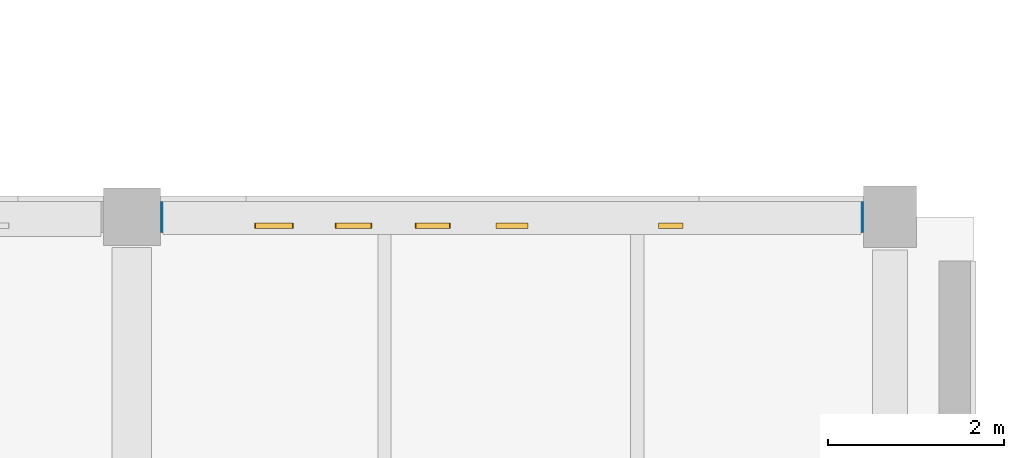
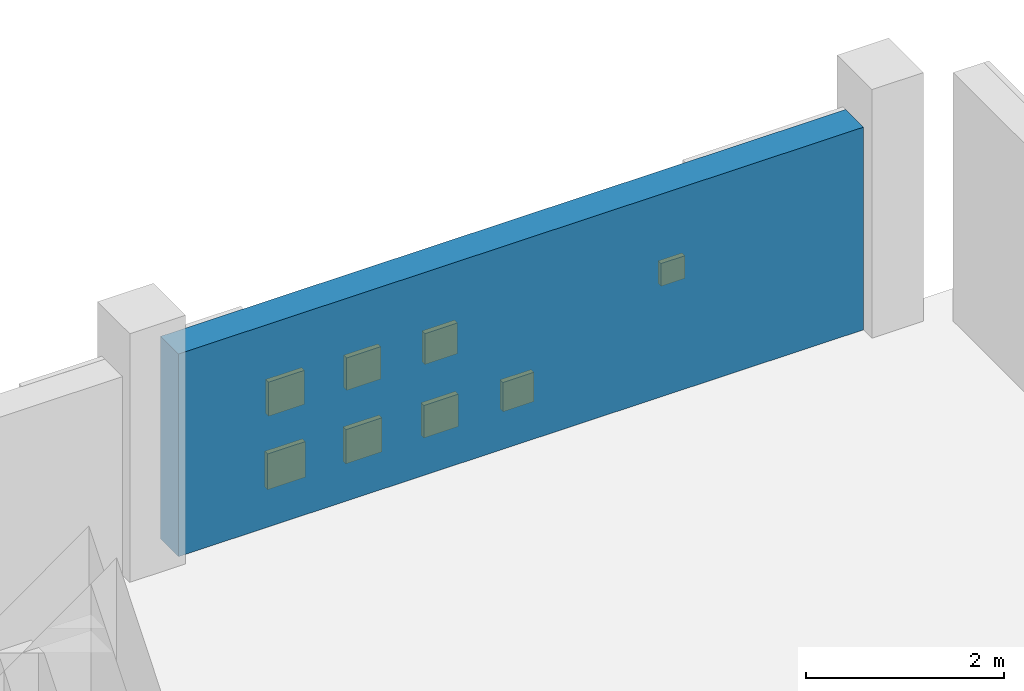
# One storey, part 28 of 34: 8 windows, 1 wall, 8 openings.
"""IFC4 building model written with IfcOpenShell, lengths in metres."""

from ifc_helpers import new_model, si_unit, direction, frame, frame_2d, origin, place, context, subcontext, project, spatial, rectangle, extrude, material, layer, layer_set, type_object, element, fill, save


model = new_model("IFC4")

# Units and contexts
model_context = context("Model", 3, precision=1e-05, world=origin(), true_north=direction((0.0, 1.0)))
body_context = subcontext(model_context, "Body", "Model", "MODEL_VIEW")
ifc_project = project(units=[si_unit("LENGTHUNIT", "METRE"), si_unit("AREAUNIT", "SQUARE_METRE"), si_unit("VOLUMEUNIT", "CUBIC_METRE"), si_unit("PLANEANGLEUNIT", "RADIAN"), si_unit("MASSUNIT", "GRAM", prefix="KILO")], contexts=[model_context])

# Site, building, storey
site_placement = place(None, origin())
site = spatial("IfcSite", under=ifc_project, at=site_placement, CompositionType="ELEMENT")
building_placement = place(site_placement, origin())
building = spatial("IfcBuilding", under=site, at=building_placement, Name="Varnakota Cinema and Media Centre", CompositionType="ELEMENT")
storey_placement = place(building_placement, frame((0.0, 0.0, 19.050048828125)))
storey = spatial("IfcBuildingStorey", under=building, at=storey_placement, Name="L05", CompositionType="ELEMENT", Elevation=19.050048828125)

# Wall, openings, windows
ifc_material_1 = material(Name="Pale Tandur limestone cladding", Category="masonry")
ifc_layer = layer(ifc_material_1, 0.360107421875)
ifc_layer_set = layer_set([ifc_layer], Name="Pale Tandur limestone cladding")
wall_type = type_object("IfcWallType", Name="W-EXT-TANDUR-360", PredefinedType="SOLIDWALL", material=ifc_layer_set)
wall_placement = place(storey_placement, frame((34.72509765625, 35.199951171875, 0.0), z_axis=(0.0, 0.0, 1.0), x_axis=(1.0, 0.0, 0.0)))
wall = element("IfcWall", 1, at=wall_placement, inside=storey, type_object=wall_type, Name="L05 V4 pale Tandur stone monolith wall V4-N-02", PredefinedType="SOLIDWALL", context=body_context, shape_type="SweptSolid", body=[
    extrude(rectangle(XDim=7.974853515625, YDim=0.360107421875, at=frame_2d((3.9873046875, 0.0))), origin(), (0.0, 0.0, 1.0), 2.494873046875),
])
opening_1_placement = place(wall_placement, frame((1.0673828125, 0.0, 0.419921875)))
opening_1 = element("IfcOpeningElement", 2, at=opening_1_placement, cuts=wall, Name="Opening WP07", PredefinedType="OPENING", context=body_context, shape_type="SweptSolid", body=[
    extrude(rectangle(XDim=0.43994140625, YDim=0.43994140625, at=frame_2d((0.219970703125, 0.219970703125))), frame((0.0, 0.18017578125, 0.0), z_axis=(0.0, -1.0, 0.0), x_axis=(1.0, 0.0, 0.0)), (0.0, 0.0, 1.0), 0.360107421875),
])
opening_2_placement = place(wall_placement, frame((1.077392578125, 0.0, 1.320068359375)))
opening_2 = element("IfcOpeningElement", 3, at=opening_2_placement, cuts=wall, Name="Opening WP08", PredefinedType="OPENING", context=body_context, shape_type="SweptSolid", body=[
    extrude(rectangle(XDim=0.419921875, YDim=0.419921875, at=frame_2d((0.2099609375, 0.2099609375))), frame((0.0, 0.18017578125, 0.0), z_axis=(0.0, -1.0, 0.0), x_axis=(1.0, 0.0, 0.0)), (0.0, 0.0, 1.0), 0.360107421875),
])
opening_3_placement = place(wall_placement, frame((1.9775390625, 0.0, 0.419921875)))
opening_3 = element("IfcOpeningElement", 4, at=opening_3_placement, cuts=wall, Name="Opening WP08", PredefinedType="OPENING", context=body_context, shape_type="SweptSolid", body=[
    extrude(rectangle(XDim=0.419921875, YDim=0.419921875, at=frame_2d((0.2099609375, 0.2099609375))), frame((0.0, 0.18017578125, 0.0), z_axis=(0.0, -1.0, 0.0), x_axis=(1.0, 0.0, 0.0)), (0.0, 0.0, 1.0), 0.360107421875),
])
opening_4_placement = place(wall_placement, frame((1.987548828125, 0.0, 1.320068359375)))
opening_4 = element("IfcOpeningElement", 5, at=opening_4_placement, cuts=wall, Name="Opening WP09", PredefinedType="OPENING", context=body_context, shape_type="SweptSolid", body=[
    extrude(rectangle(XDim=0.39990234375, YDim=0.39990234375, at=frame_2d((0.199951171875, 0.199951171875))), frame((0.0, 0.18017578125, 0.0), z_axis=(0.0, -1.0, 0.0), x_axis=(1.0, 0.0, 0.0)), (0.0, 0.0, 1.0), 0.360107421875),
])
opening_5_placement = place(wall_placement, frame((2.887451171875, 0.0, 0.419921875)))
opening_5 = element("IfcOpeningElement", 6, at=opening_5_placement, cuts=wall, Name="Opening WP09", PredefinedType="OPENING", context=body_context, shape_type="SweptSolid", body=[
    extrude(rectangle(XDim=0.39990234375, YDim=0.39990234375, at=frame_2d((0.199951171875, 0.199951171875))), frame((0.0, 0.18017578125, 0.0), z_axis=(0.0, -1.0, 0.0), x_axis=(1.0, 0.0, 0.0)), (0.0, 0.0, 1.0), 0.360107421875),
])
opening_6_placement = place(wall_placement, frame((2.8974609375, 0.0, 1.320068359375)))
opening_6 = element("IfcOpeningElement", 7, at=opening_6_placement, cuts=wall, Name="Opening WP10", PredefinedType="OPENING", context=body_context, shape_type="SweptSolid", body=[
    extrude(rectangle(XDim=0.3798828125, YDim=0.3798828125, at=frame_2d((0.18994140625, 0.18994140625))), frame((0.0, 0.18017578125, 0.0), z_axis=(0.0, -1.0, 0.0), x_axis=(1.0, 0.0, 0.0)), (0.0, 0.0, 1.0), 0.360107421875),
])
opening_7_placement = place(wall_placement, frame((3.8076171875, 0.0, 0.419921875)))
opening_7 = element("IfcOpeningElement", 8, at=opening_7_placement, cuts=wall, Name="Opening WP11", PredefinedType="OPENING", context=body_context, shape_type="SweptSolid", body=[
    extrude(rectangle(XDim=0.360107421875, YDim=0.360107421875, at=frame_2d((0.18017578125, 0.18017578125))), frame((0.0, 0.18017578125, 0.0), z_axis=(0.0, -1.0, 0.0), x_axis=(1.0, 0.0, 0.0)), (0.0, 0.0, 1.0), 0.360107421875),
])
opening_8_placement = place(wall_placement, frame((5.6474609375, 0.0, 1.320068359375)))
opening_8 = element("IfcOpeningElement", 9, at=opening_8_placement, cuts=wall, Name="Opening WP15", PredefinedType="OPENING", context=body_context, shape_type="SweptSolid", body=[
    extrude(rectangle(XDim=0.280029296875, YDim=0.280029296875, at=frame_2d((0.14013671875, 0.14013671875))), frame((0.0, 0.18017578125, 0.0), z_axis=(0.0, -1.0, 0.0), x_axis=(1.0, 0.0, 0.0)), (0.0, 0.0, 1.0), 0.360107421875),
])
ifc_material_2 = material(Name="Laminated solar-control double glazing", Category="glass")
window_type_1 = type_object("IfcWindowType", Name="WIN-PIERCE-07", PartitioningType="SINGLE_PANEL", PredefinedType="WINDOW", material=ifc_material_2)
window_1_placement = place(opening_1_placement, origin())
window_1 = element("IfcWindow", 10, at=window_1_placement, inside=storey, type_object=window_type_1, Name="L05 window WP07", OverallHeight=0.43994140625, OverallWidth=0.43994140625, PartitioningType="SINGLE_PANEL", PredefinedType="WINDOW", context=body_context, shape_type="SweptSolid", body=[
    extrude(rectangle(XDim=0.43994140625, YDim=0.43994140625, at=frame_2d((0.219970703125, 0.219970703125))), frame((0.0, -0.070068359375, 0.0), z_axis=(0.0, -1.0, 0.0), x_axis=(1.0, 0.0, 0.0)), (0.0, 0.0, 1.0), 0.06005859375),
])
fill(opening_1, window_1)
ifc_material_3 = material(Name="Laminated solar-control double glazing", Category="glass")
window_type_2 = type_object("IfcWindowType", Name="WIN-PIERCE-08", PartitioningType="SINGLE_PANEL", PredefinedType="WINDOW", material=ifc_material_3)
window_2_placement = place(opening_2_placement, origin())
window_2 = element("IfcWindow", 11, at=window_2_placement, inside=storey, type_object=window_type_2, Name="L05 window WP08", OverallHeight=0.419921875, OverallWidth=0.419921875, PartitioningType="SINGLE_PANEL", PredefinedType="WINDOW", context=body_context, shape_type="SweptSolid", body=[
    extrude(rectangle(XDim=0.419921875, YDim=0.419921875, at=frame_2d((0.2099609375, 0.2099609375))), frame((0.0, -0.070068359375, 0.0), z_axis=(0.0, -1.0, 0.0), x_axis=(1.0, 0.0, 0.0)), (0.0, 0.0, 1.0), 0.06005859375),
])
fill(opening_2, window_2)
window_3_placement = place(opening_3_placement, origin())
window_3 = element("IfcWindow", 12, at=window_3_placement, inside=storey, type_object=window_type_2, Name="L05 window WP08", OverallHeight=0.419921875, OverallWidth=0.419921875, PartitioningType="SINGLE_PANEL", PredefinedType="WINDOW", context=body_context, shape_type="SweptSolid", body=[
    extrude(rectangle(XDim=0.419921875, YDim=0.419921875, at=frame_2d((0.2099609375, 0.2099609375))), frame((0.0, -0.070068359375, 0.0), z_axis=(0.0, -1.0, 0.0), x_axis=(1.0, 0.0, 0.0)), (0.0, 0.0, 1.0), 0.06005859375),
])
fill(opening_3, window_3)
ifc_material_4 = material(Name="Laminated solar-control double glazing", Category="glass")
window_type_3 = type_object("IfcWindowType", Name="WIN-PIERCE-09", PartitioningType="SINGLE_PANEL", PredefinedType="WINDOW", material=ifc_material_4)
window_4_placement = place(opening_4_placement, origin())
window_4 = element("IfcWindow", 13, at=window_4_placement, inside=storey, type_object=window_type_3, Name="L05 window WP09", OverallHeight=0.39990234375, OverallWidth=0.39990234375, PartitioningType="SINGLE_PANEL", PredefinedType="WINDOW", context=body_context, shape_type="SweptSolid", body=[
    extrude(rectangle(XDim=0.39990234375, YDim=0.39990234375, at=frame_2d((0.199951171875, 0.199951171875))), frame((0.0, -0.070068359375, 0.0), z_axis=(0.0, -1.0, 0.0), x_axis=(1.0, 0.0, 0.0)), (0.0, 0.0, 1.0), 0.06005859375),
])
fill(opening_4, window_4)
window_5_placement = place(opening_5_placement, origin())
window_5 = element("IfcWindow", 14, at=window_5_placement, inside=storey, type_object=window_type_3, Name="L05 window WP09", OverallHeight=0.39990234375, OverallWidth=0.39990234375, PartitioningType="SINGLE_PANEL", PredefinedType="WINDOW", context=body_context, shape_type="SweptSolid", body=[
    extrude(rectangle(XDim=0.39990234375, YDim=0.39990234375, at=frame_2d((0.199951171875, 0.199951171875))), frame((0.0, -0.070068359375, 0.0), z_axis=(0.0, -1.0, 0.0), x_axis=(1.0, 0.0, 0.0)), (0.0, 0.0, 1.0), 0.06005859375),
])
fill(opening_5, window_5)
ifc_material_5 = material(Name="Laminated solar-control double glazing", Category="glass")
window_type_4 = type_object("IfcWindowType", Name="WIN-PIERCE-10", PartitioningType="SINGLE_PANEL", PredefinedType="WINDOW", material=ifc_material_5)
window_6_placement = place(opening_6_placement, origin())
window_6 = element("IfcWindow", 15, at=window_6_placement, inside=storey, type_object=window_type_4, Name="L05 window WP10", OverallHeight=0.3798828125, OverallWidth=0.3798828125, PartitioningType="SINGLE_PANEL", PredefinedType="WINDOW", context=body_context, shape_type="SweptSolid", body=[
    extrude(rectangle(XDim=0.3798828125, YDim=0.3798828125, at=frame_2d((0.18994140625, 0.18994140625))), frame((0.0, -0.070068359375, 0.0), z_axis=(0.0, -1.0, 0.0), x_axis=(1.0, 0.0, 0.0)), (0.0, 0.0, 1.0), 0.06005859375),
])
fill(opening_6, window_6)
ifc_material_6 = material(Name="Laminated solar-control double glazing", Category="glass")
window_type_5 = type_object("IfcWindowType", Name="WIN-PIERCE-11", PartitioningType="SINGLE_PANEL", PredefinedType="WINDOW", material=ifc_material_6)
window_7_placement = place(opening_7_placement, origin())
window_7 = element("IfcWindow", 16, at=window_7_placement, inside=storey, type_object=window_type_5, Name="L05 window WP11", OverallHeight=0.360107421875, OverallWidth=0.360107421875, PartitioningType="SINGLE_PANEL", PredefinedType="WINDOW", context=body_context, shape_type="SweptSolid", body=[
    extrude(rectangle(XDim=0.360107421875, YDim=0.360107421875, at=frame_2d((0.18017578125, 0.18017578125))), frame((0.0, -0.070068359375, 0.0), z_axis=(0.0, -1.0, 0.0), x_axis=(1.0, 0.0, 0.0)), (0.0, 0.0, 1.0), 0.06005859375),
])
fill(opening_7, window_7)
ifc_material_7 = material(Name="Laminated solar-control double glazing", Category="glass")
window_type_6 = type_object("IfcWindowType", Name="WIN-PIERCE-15", PartitioningType="SINGLE_PANEL", PredefinedType="WINDOW", material=ifc_material_7)
window_8_placement = place(opening_8_placement, origin())
window_8 = element("IfcWindow", 17, at=window_8_placement, inside=storey, type_object=window_type_6, Name="L05 window WP15", OverallHeight=0.280029296875, OverallWidth=0.280029296875, PartitioningType="SINGLE_PANEL", PredefinedType="WINDOW", context=body_context, shape_type="SweptSolid", body=[
    extrude(rectangle(XDim=0.280029296875, YDim=0.280029296875, at=frame_2d((0.14013671875, 0.14013671875))), frame((0.0, -0.070068359375, 0.0), z_axis=(0.0, -1.0, 0.0), x_axis=(1.0, 0.0, 0.0)), (0.0, 0.0, 1.0), 0.06005859375),
])
fill(opening_8, window_8)

save(model, "model.ifc")
